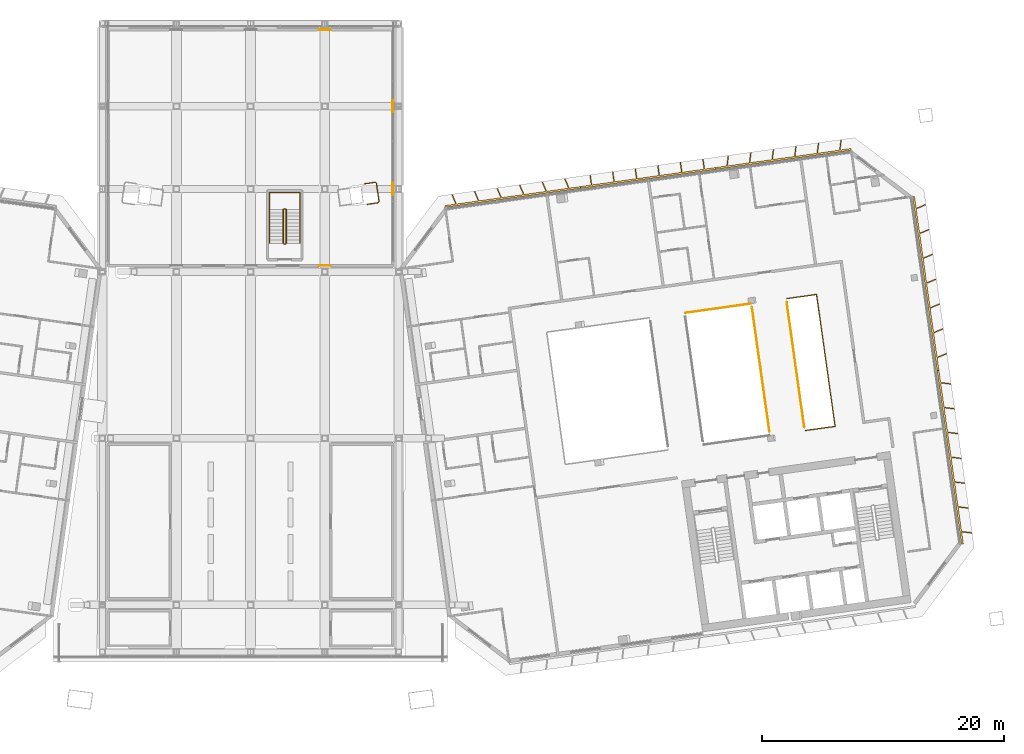
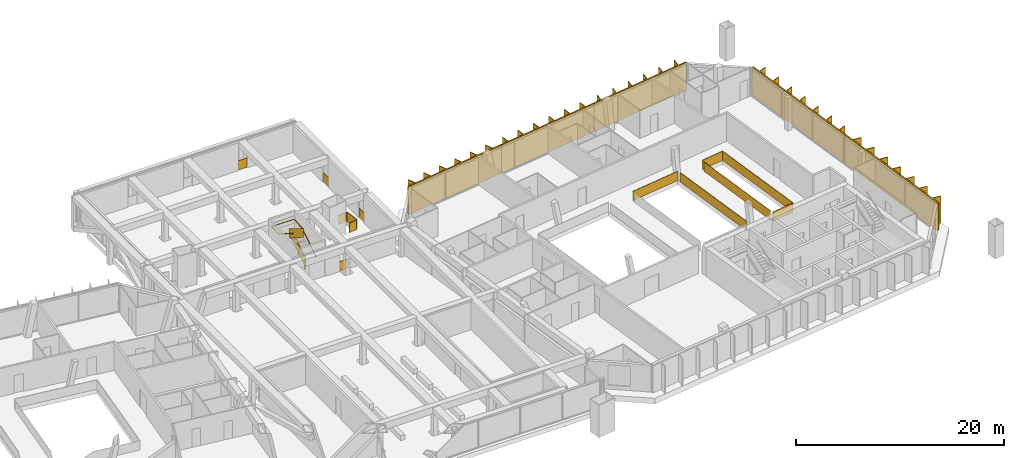
# One storey, part 25 of 25: 11 railings, 5 shading devices.
"""IFC4 building model written with IfcOpenShell, lengths in metres."""

from ifc_helpers import new_model, si_unit, direction, frame, origin, origin_2d, place, context, subcontext, project, spatial, polyline, rectangle, outline, extrude, material, type_object, element, save


model = new_model("IFC4")

# Units and contexts
model_context = context("Model", 3, precision=1e-05, world=origin(), true_north=direction((0.0, 1.0)))
body_context = subcontext(model_context, "Body", "Model", "MODEL_VIEW")
ifc_project = project(units=[si_unit("LENGTHUNIT", "METRE"), si_unit("AREAUNIT", "SQUARE_METRE"), si_unit("VOLUMEUNIT", "CUBIC_METRE"), si_unit("PLANEANGLEUNIT", "RADIAN"), si_unit("MASSUNIT", "GRAM", prefix="KILO")], contexts=[model_context])

# Site, building, storey
site_placement = place(None, origin())
site = spatial("IfcSite", under=ifc_project, at=site_placement, CompositionType="ELEMENT")
building_placement = place(site_placement, origin())
building = spatial("IfcBuilding", under=site, at=building_placement, Name="Mirante Cascada Hotel Towers", CompositionType="ELEMENT")
storey_placement = place(building_placement, frame((0.0, 0.0, 266.0)))
storey = spatial("IfcBuildingStorey", under=building, at=storey_placement, Name="L64", CompositionType="ELEMENT", Elevation=266.0)

# Railings
ifc_material_1 = material(Name="Toughened glass with stainless steel handrail", Category="steel")
railing_type_1 = type_object("IfcRailingType", Name="Atrium guard 1100 glass balustrade", PredefinedType="GUARDRAIL", material=ifc_material_1)
railing_1_placement = place(storey_placement, frame((41.3491, 7.2697, 0.0)))
element("IfcRailing", 1, at=railing_1_placement, inside=storey, type_object=railing_type_1, Name="GUARD 2-L64-3", PredefinedType="GUARDRAIL", context=body_context, shape_type="SweptSolid", body=[
    extrude(rectangle(XDim=0.048, YDim=0.048, at=origin_2d()), frame((0.0, 0.0, 1.076), z_axis=(-0.9902672, -0.1391795, 0.0), x_axis=(0.1391795, -0.9902672, 0.0)), (0.0, 0.0, 1.0), 5.4714),
    extrude(rectangle(XDim=0.02, YDim=1.052, at=origin_2d()), frame((0.0, 0.0, 0.526), z_axis=(-0.9902672, -0.1391795, 0.0), x_axis=(0.1391795, -0.9902672, 0.0)), (0.0, 0.0, 1.0), 5.4714),
])
railing_2_placement = place(storey_placement, frame((45.8508, -3.2057, 0.0)))
element("IfcRailing", 2, at=railing_2_placement, inside=storey, type_object=railing_type_1, Name="GUARD 2-L64-4", PredefinedType="GUARDRAIL", context=body_context, shape_type="SweptSolid", body=[
    extrude(rectangle(XDim=0.048, YDim=0.048, at=origin_2d()), frame((0.0, 0.0, 1.076), z_axis=(0.9902698, 0.1391606, 0.0), x_axis=(-0.1391606, 0.9902698, 0.0)), (0.0, 0.0, 1.0), 2.4712),
    extrude(rectangle(XDim=0.02, YDim=1.052, at=origin_2d()), frame((0.0, 0.0, 0.526), z_axis=(0.9902698, 0.1391606, 0.0), x_axis=(-0.1391606, 0.9902698, 0.0)), (0.0, 0.0, 1.0), 2.4712),
    extrude(rectangle(XDim=0.048, YDim=0.048, at=origin_2d()), frame((2.4472, 0.3439, 1.076), z_axis=(-0.1391721, 0.9902682, 0.0), x_axis=(-0.9902682, -0.1391721, 0.0)), (0.0, 0.0, 1.0), 11.0001),
    extrude(rectangle(XDim=0.02, YDim=1.052, at=origin_2d()), frame((2.4472, 0.3439, 0.526), z_axis=(-0.1391721, 0.9902682, 0.0), x_axis=(-0.9902682, -0.1391721, 0.0)), (0.0, 0.0, 1.0), 11.0001),
    extrude(rectangle(XDim=0.048, YDim=0.048, at=origin_2d()), frame((0.9163, 11.2369, 1.076), z_axis=(-0.9902642, -0.1392003, 0.0), x_axis=(0.1392003, -0.9902642, 0.0)), (0.0, 0.0, 1.0), 2.4713),
    extrude(rectangle(XDim=0.02, YDim=1.052, at=origin_2d()), frame((0.9163, 11.2369, 0.526), z_axis=(-0.9902642, -0.1392003, 0.0), x_axis=(0.1392003, -0.9902642, 0.0)), (0.0, 0.0, 1.0), 2.4713),
])
railing_3_placement = place(storey_placement, frame((42.8874, -3.3237, 0.0)))
element("IfcRailing", 3, at=railing_3_placement, inside=storey, type_object=railing_type_1, Name="GUARD 2-L64-7", PredefinedType="GUARDRAIL", context=body_context, shape_type="SweptSolid", body=[
    extrude(rectangle(XDim=0.048, YDim=0.048, at=origin_2d()), frame((0.0, 0.0, 1.076), z_axis=(-0.1391708, 0.9902684, 0.0), x_axis=(-0.9902684, -0.1391708, 0.0)), (0.0, 0.0, 1.0), 10.4088),
    extrude(rectangle(XDim=0.02, YDim=1.052, at=origin_2d()), frame((0.0, 0.0, 0.526), z_axis=(-0.1391708, 0.9902684, 0.0), x_axis=(-0.9902684, -0.1391708, 0.0)), (0.0, 0.0, 1.0), 10.4088),
])
railing_4_placement = place(storey_placement, frame((44.3124, 7.3876, 0.0)))
element("IfcRailing", 4, at=railing_4_placement, inside=storey, type_object=railing_type_1, Name="GUARD 2-L64-8", PredefinedType="GUARDRAIL", context=body_context, shape_type="SweptSolid", body=[
    extrude(rectangle(XDim=0.048, YDim=0.048, at=origin_2d()), frame((0.0, 0.0, 1.076), z_axis=(0.1391815, -0.9902669, 0.0), x_axis=(0.9902669, 0.1391815, 0.0)), (0.0, 0.0, 1.0), 10.4087),
    extrude(rectangle(XDim=0.02, YDim=1.052, at=origin_2d()), frame((0.0, 0.0, 0.526), z_axis=(0.1391815, -0.9902669, 0.0), x_axis=(0.9902669, 0.1391815, 0.0)), (0.0, 0.0, 1.0), 10.4087),
])
ifc_material_2 = material(Name="Toughened glass", Category="glass")
railing_type_2 = type_object("IfcRailingType", Name="Deck column opening guard 1100 glass balustrade", PredefinedType="GUARDRAIL", material=ifc_material_2)
railing_5_placement = place(storey_placement, frame((9.6277, 15.4849, 0.0)))
element("IfcRailing", 5, at=railing_5_placement, inside=storey, type_object=railing_type_2, Name="Column opening guard L64 2", PredefinedType="GUARDRAIL", context=body_context, shape_type="SweptSolid", body=[
    extrude(rectangle(XDim=0.048, YDim=0.048, at=origin_2d()), frame((0.0, 0.0, 1.076), z_axis=(0.9902714, 0.1391493, 0.0), x_axis=(-0.1391493, 0.9902714, 0.0)), (0.0, 0.0, 1.0), 0.8566),
    extrude(rectangle(XDim=0.02, YDim=1.052, at=origin_2d()), frame((0.0, 0.0, 0.526), z_axis=(0.9902714, 0.1391493, 0.0), x_axis=(-0.1391493, 0.9902714, 0.0)), (0.0, 0.0, 1.0), 0.8566),
    extrude(rectangle(XDim=0.048, YDim=0.048, at=origin_2d()), frame((0.8483, 0.1192, 1.076), z_axis=(0.9825335, 0.1860859, 0.0), x_axis=(-0.1860859, 0.9825335, 0.0)), (0.0, 0.0, 1.0), 0.0134),
    extrude(rectangle(XDim=0.02, YDim=1.052, at=origin_2d()), frame((0.8483, 0.1192, 0.526), z_axis=(0.9825335, 0.1860859, 0.0), x_axis=(-0.1860859, 0.9825335, 0.0)), (0.0, 0.0, 1.0), 0.0134),
    extrude(rectangle(XDim=0.048, YDim=0.048, at=origin_2d()), frame((0.8615, 0.1217, 1.076), z_axis=(0.9589343, 0.2836284, 0.0), x_axis=(-0.2836284, 0.9589343, 0.0)), (0.0, 0.0, 1.0), 0.0148),
    extrude(rectangle(XDim=0.02, YDim=1.052, at=origin_2d()), frame((0.8615, 0.1217, 0.526), z_axis=(0.9589343, 0.2836284, 0.0), x_axis=(-0.2836284, 0.9589343, 0.0)), (0.0, 0.0, 1.0), 0.0148),
    extrude(rectangle(XDim=0.048, YDim=0.048, at=origin_2d()), frame((0.8757, 0.1259, 1.076), z_axis=(0.9270597, 0.3749138, 0.0), x_axis=(-0.3749138, 0.9270597, 0.0)), (0.0, 0.0, 1.0), 0.0147),
    extrude(rectangle(XDim=0.02, YDim=1.052, at=origin_2d()), frame((0.8757, 0.1259, 0.526), z_axis=(0.9270597, 0.3749138, 0.0), x_axis=(-0.3749138, 0.9270597, 0.0)), (0.0, 0.0, 1.0), 0.0147),
    extrude(rectangle(XDim=0.048, YDim=0.048, at=origin_2d()), frame((0.8893, 0.1314, 1.076), z_axis=(0.8847717, 0.4660248, 0.0), x_axis=(-0.4660248, 0.8847717, 0.0)), (0.0, 0.0, 1.0), 0.0148),
    extrude(rectangle(XDim=0.02, YDim=1.052, at=origin_2d()), frame((0.8893, 0.1314, 0.526), z_axis=(0.8847717, 0.4660248, 0.0), x_axis=(-0.4660248, 0.8847717, 0.0)), (0.0, 0.0, 1.0), 0.0148),
    extrude(rectangle(XDim=0.048, YDim=0.048, at=origin_2d()), frame((0.9024, 0.1383, 1.076), z_axis=(0.8351709, 0.5499906, 0.0), x_axis=(-0.5499906, 0.8351709, 0.0)), (0.0, 0.0, 1.0), 0.0147),
    extrude(rectangle(XDim=0.02, YDim=1.052, at=origin_2d()), frame((0.9024, 0.1383, 0.526), z_axis=(0.8351709, 0.5499906, 0.0), x_axis=(-0.5499906, 0.8351709, 0.0)), (0.0, 0.0, 1.0), 0.0147),
    extrude(rectangle(XDim=0.048, YDim=0.048, at=origin_2d()), frame((0.9147, 0.1464, 1.076), z_axis=(0.7781978, 0.6280193, 0.0), x_axis=(-0.6280193, 0.7781978, 0.0)), (0.0, 0.0, 1.0), 0.0146),
    extrude(rectangle(XDim=0.02, YDim=1.052, at=origin_2d()), frame((0.9147, 0.1464, 0.526), z_axis=(0.7781978, 0.6280193, 0.0), x_axis=(-0.6280193, 0.7781978, 0.0)), (0.0, 0.0, 1.0), 0.0146),
    extrude(rectangle(XDim=0.048, YDim=0.048, at=origin_2d()), frame((0.9261, 0.1556, 1.076), z_axis=(0.7104819, 0.7037154, 0.0), x_axis=(-0.7037154, 0.7104819, 0.0)), (0.0, 0.0, 1.0), 0.0148),
    extrude(rectangle(XDim=0.02, YDim=1.052, at=origin_2d()), frame((0.9261, 0.1556, 0.526), z_axis=(0.7104819, 0.7037154, 0.0), x_axis=(-0.7037154, 0.7104819, 0.0)), (0.0, 0.0, 1.0), 0.0148),
    extrude(rectangle(XDim=0.048, YDim=0.048, at=origin_2d()), frame((0.9366, 0.166, 1.076), z_axis=(0.639515, 0.7687786, 0.0), x_axis=(-0.7687786, 0.639515, 0.0)), (0.0, 0.0, 1.0), 0.0147),
    extrude(rectangle(XDim=0.02, YDim=1.052, at=origin_2d()), frame((0.9366, 0.166, 0.526), z_axis=(0.639515, 0.7687786, 0.0), x_axis=(-0.7687786, 0.639515, 0.0)), (0.0, 0.0, 1.0), 0.0147),
    extrude(rectangle(XDim=0.048, YDim=0.048, at=origin_2d()), frame((0.946, 0.1773, 1.076), z_axis=(0.5656608, 0.824638, 0.0), x_axis=(-0.824638, 0.5656608, 0.0)), (0.0, 0.0, 1.0), 0.0147),
    extrude(rectangle(XDim=0.02, YDim=1.052, at=origin_2d()), frame((0.946, 0.1773, 0.526), z_axis=(0.5656608, 0.824638, 0.0), x_axis=(-0.824638, 0.5656608, 0.0)), (0.0, 0.0, 1.0), 0.0147),
    extrude(rectangle(XDim=0.048, YDim=0.048, at=origin_2d()), frame((0.9543, 0.1894, 1.076), z_axis=(0.4793251, 0.8776374, 0.0), x_axis=(-0.8776374, 0.4793251, 0.0)), (0.0, 0.0, 1.0), 0.0148),
    extrude(rectangle(XDim=0.02, YDim=1.052, at=origin_2d()), frame((0.9543, 0.1894, 0.526), z_axis=(0.4793251, 0.8776374, 0.0), x_axis=(-0.8776374, 0.4793251, 0.0)), (0.0, 0.0, 1.0), 0.0148),
    extrude(rectangle(XDim=0.048, YDim=0.048, at=origin_2d()), frame((0.9614, 0.2024, 1.076), z_axis=(0.388972, 0.9212496, 0.0), x_axis=(-0.9212496, 0.388972, 0.0)), (0.0, 0.0, 1.0), 0.0147),
    extrude(rectangle(XDim=0.02, YDim=1.052, at=origin_2d()), frame((0.9614, 0.2024, 0.526), z_axis=(0.388972, 0.9212496, 0.0), x_axis=(-0.9212496, 0.388972, 0.0)), (0.0, 0.0, 1.0), 0.0147),
    extrude(rectangle(XDim=0.048, YDim=0.048, at=origin_2d()), frame((0.9671, 0.2159, 1.076), z_axis=(0.2978895, 0.9546004, 0.0), x_axis=(-0.9546004, 0.2978895, 0.0)), (0.0, 0.0, 1.0), 0.0148),
    extrude(rectangle(XDim=0.02, YDim=1.052, at=origin_2d()), frame((0.9671, 0.2159, 0.526), z_axis=(0.2978895, 0.9546004, 0.0), x_axis=(-0.9546004, 0.2978895, 0.0)), (0.0, 0.0, 1.0), 0.0148),
    extrude(rectangle(XDim=0.048, YDim=0.048, at=origin_2d()), frame((0.9715, 0.23, 1.076), z_axis=(0.2039543, 0.9789804, 0.0), x_axis=(-0.9789804, 0.2039543, 0.0)), (0.0, 0.0, 1.0), 0.0147),
    extrude(rectangle(XDim=0.02, YDim=1.052, at=origin_2d()), frame((0.9715, 0.23, 0.526), z_axis=(0.2039543, 0.9789804, 0.0), x_axis=(-0.9789804, 0.2039543, 0.0)), (0.0, 0.0, 1.0), 0.0147),
    extrude(rectangle(XDim=0.048, YDim=0.048, at=origin_2d()), frame((0.9745, 0.2444, 1.076), z_axis=(0.1015137, 0.9948341, 0.0), x_axis=(-0.9948341, 0.1015137, 0.0)), (0.0, 0.0, 1.0), 0.0148),
    extrude(rectangle(XDim=0.02, YDim=1.052, at=origin_2d()), frame((0.9745, 0.2444, 0.526), z_axis=(0.1015137, 0.9948341, 0.0), x_axis=(-0.9948341, 0.1015137, 0.0)), (0.0, 0.0, 1.0), 0.0148),
    extrude(rectangle(XDim=0.048, YDim=0.048, at=origin_2d()), frame((0.976, 0.2591, 1.076), z_axis=(0.0068026, 0.9999769, 0.0), x_axis=(-0.9999769, 0.0068026, 0.0)), (0.0, 0.0, 1.0), 0.0147),
    extrude(rectangle(XDim=0.02, YDim=1.052, at=origin_2d()), frame((0.976, 0.2591, 0.526), z_axis=(0.0068026, 0.9999769, 0.0), x_axis=(-0.9999769, 0.0068026, 0.0)), (0.0, 0.0, 1.0), 0.0147),
    extrude(rectangle(XDim=0.048, YDim=0.048, at=origin_2d()), frame((0.9761, 0.2738, 1.076), z_axis=(-0.0891953, 0.9960142, 0.0), x_axis=(-0.9960142, -0.0891953, 0.0)), (0.0, 0.0, 1.0), 0.0135),
    extrude(rectangle(XDim=0.02, YDim=1.052, at=origin_2d()), frame((0.9761, 0.2738, 0.526), z_axis=(-0.0891953, 0.9960142, 0.0), x_axis=(-0.9960142, -0.0891953, 0.0)), (0.0, 0.0, 1.0), 0.0135),
    extrude(rectangle(XDim=0.048, YDim=0.048, at=origin_2d()), frame((0.9749, 0.2872, 1.076), z_axis=(-0.1391849, 0.9902664, 0.0), x_axis=(-0.9902664, -0.1391849, 0.0)), (0.0, 0.0, 1.0), 1.4025),
    extrude(rectangle(XDim=0.02, YDim=1.052, at=origin_2d()), frame((0.9749, 0.2872, 0.526), z_axis=(-0.1391849, 0.9902664, 0.0), x_axis=(-0.9902664, -0.1391849, 0.0)), (0.0, 0.0, 1.0), 1.4025),
    extrude(rectangle(XDim=0.048, YDim=0.048, at=origin_2d()), frame((0.7797, 1.676, 1.076), z_axis=(-0.1847347, 0.9827884, 0.0), x_axis=(-0.9827884, -0.1847347, 0.0)), (0.0, 0.0, 1.0), 0.0135),
    extrude(rectangle(XDim=0.02, YDim=1.052, at=origin_2d()), frame((0.7797, 1.676, 0.526), z_axis=(-0.1847347, 0.9827884, 0.0), x_axis=(-0.9827884, -0.1847347, 0.0)), (0.0, 0.0, 1.0), 0.0135),
    extrude(rectangle(XDim=0.048, YDim=0.048, at=origin_2d()), frame((0.7772, 1.6893, 1.076), z_axis=(-0.2854766, 0.9583857, 0.0), x_axis=(-0.9583857, -0.2854766, 0.0)), (0.0, 0.0, 1.0), 0.0147),
    extrude(rectangle(XDim=0.02, YDim=1.052, at=origin_2d()), frame((0.7772, 1.6893, 0.526), z_axis=(-0.2854766, 0.9583857, 0.0), x_axis=(-0.9583857, -0.2854766, 0.0)), (0.0, 0.0, 1.0), 0.0147),
    extrude(rectangle(XDim=0.048, YDim=0.048, at=origin_2d()), frame((0.773, 1.7034, 1.076), z_axis=(-0.3725583, 0.9280088, 0.0), x_axis=(-0.9280088, -0.3725583, 0.0)), (0.0, 0.0, 1.0), 0.0148),
    extrude(rectangle(XDim=0.02, YDim=1.052, at=origin_2d()), frame((0.773, 1.7034, 0.526), z_axis=(-0.3725583, 0.9280088, 0.0), x_axis=(-0.9280088, -0.3725583, 0.0)), (0.0, 0.0, 1.0), 0.0148),
    extrude(rectangle(XDim=0.048, YDim=0.048, at=origin_2d()), frame((0.7675, 1.7171, 1.076), z_axis=(-0.4634975, 0.8860982, 0.0), x_axis=(-0.8860982, -0.4634975, 0.0)), (0.0, 0.0, 1.0), 0.0147),
    extrude(rectangle(XDim=0.02, YDim=1.052, at=origin_2d()), frame((0.7675, 1.7171, 0.526), z_axis=(-0.4634975, 0.8860982, 0.0), x_axis=(-0.8860982, -0.4634975, 0.0)), (0.0, 0.0, 1.0), 0.0147),
    extrude(rectangle(XDim=0.048, YDim=0.048, at=origin_2d()), frame((0.7607, 1.7301, 1.076), z_axis=(-0.5499906, 0.8351709, 0.0), x_axis=(-0.8351709, -0.5499906, 0.0)), (0.0, 0.0, 1.0), 0.0147),
    extrude(rectangle(XDim=0.02, YDim=1.052, at=origin_2d()), frame((0.7607, 1.7301, 0.526), z_axis=(-0.5499906, 0.8351709, 0.0), x_axis=(-0.8351709, -0.5499906, 0.0)), (0.0, 0.0, 1.0), 0.0147),
    extrude(rectangle(XDim=0.048, YDim=0.048, at=origin_2d()), frame((0.7526, 1.7424, 1.076), z_axis=(-0.6288091, 0.7775597, 0.0), x_axis=(-0.7775597, -0.6288091, 0.0)), (0.0, 0.0, 1.0), 0.0148),
    extrude(rectangle(XDim=0.02, YDim=1.052, at=origin_2d()), frame((0.7526, 1.7424, 0.526), z_axis=(-0.6288091, 0.7775597, 0.0), x_axis=(-0.7775597, -0.6288091, 0.0)), (0.0, 0.0, 1.0), 0.0148),
    extrude(rectangle(XDim=0.048, YDim=0.048, at=origin_2d()), frame((0.7433, 1.7539, 1.076), z_axis=(-0.7002753, 0.7138729, 0.0), x_axis=(-0.7138729, -0.7002753, 0.0)), (0.0, 0.0, 1.0), 0.0147),
    extrude(rectangle(XDim=0.02, YDim=1.052, at=origin_2d()), frame((0.7433, 1.7539, 0.526), z_axis=(-0.7002753, 0.7138729, 0.0), x_axis=(-0.7138729, -0.7002753, 0.0)), (0.0, 0.0, 1.0), 0.0147),
    extrude(rectangle(XDim=0.048, YDim=0.048, at=origin_2d()), frame((0.733, 1.7644, 1.076), z_axis=(-0.7687786, 0.639515, 0.0), x_axis=(-0.639515, -0.7687786, 0.0)), (0.0, 0.0, 1.0), 0.0147),
    extrude(rectangle(XDim=0.02, YDim=1.052, at=origin_2d()), frame((0.733, 1.7644, 0.526), z_axis=(-0.7687786, 0.639515, 0.0), x_axis=(-0.639515, -0.7687786, 0.0)), (0.0, 0.0, 1.0), 0.0147),
    extrude(rectangle(XDim=0.048, YDim=0.048, at=origin_2d()), frame((0.7217, 1.7738, 1.076), z_axis=(-0.8268004, 0.5624954, 0.0), x_axis=(-0.5624954, -0.8268004, 0.0)), (0.0, 0.0, 1.0), 0.0148),
    extrude(rectangle(XDim=0.02, YDim=1.052, at=origin_2d()), frame((0.7217, 1.7738, 0.526), z_axis=(-0.8268004, 0.5624954, 0.0), x_axis=(-0.5624954, -0.8268004, 0.0)), (0.0, 0.0, 1.0), 0.0148),
    extrude(rectangle(XDim=0.048, YDim=0.048, at=origin_2d()), frame((0.7095, 1.7821, 1.076), z_axis=(-0.8804711, 0.4740998, 0.0), x_axis=(-0.4740998, -0.8804711, 0.0)), (0.0, 0.0, 1.0), 0.0148),
    extrude(rectangle(XDim=0.02, YDim=1.052, at=origin_2d()), frame((0.7095, 1.7821, 0.526), z_axis=(-0.8804711, 0.4740998, 0.0), x_axis=(-0.4740998, -0.8804711, 0.0)), (0.0, 0.0, 1.0), 0.0148),
    extrude(rectangle(XDim=0.048, YDim=0.048, at=origin_2d()), frame((0.6965, 1.7891, 1.076), z_axis=(-0.9212496, 0.388972, 0.0), x_axis=(-0.388972, -0.9212496, 0.0)), (0.0, 0.0, 1.0), 0.0147),
    extrude(rectangle(XDim=0.02, YDim=1.052, at=origin_2d()), frame((0.6965, 1.7891, 0.526), z_axis=(-0.9212496, 0.388972, 0.0), x_axis=(-0.388972, -0.9212496, 0.0)), (0.0, 0.0, 1.0), 0.0147),
    extrude(rectangle(XDim=0.048, YDim=0.048, at=origin_2d()), frame((0.683, 1.7948, 1.076), z_axis=(-0.9546004, 0.2978895, 0.0), x_axis=(-0.2978895, -0.9546004, 0.0)), (0.0, 0.0, 1.0), 0.0148),
    extrude(rectangle(XDim=0.02, YDim=1.052, at=origin_2d()), frame((0.683, 1.7948, 0.526), z_axis=(-0.9546004, 0.2978895, 0.0), x_axis=(-0.2978895, -0.9546004, 0.0)), (0.0, 0.0, 1.0), 0.0148),
    extrude(rectangle(XDim=0.048, YDim=0.048, at=origin_2d()), frame((0.6689, 1.7992, 1.076), z_axis=(-0.9789804, 0.2039543, 0.0), x_axis=(-0.2039543, -0.9789804, 0.0)), (0.0, 0.0, 1.0), 0.0147),
    extrude(rectangle(XDim=0.02, YDim=1.052, at=origin_2d()), frame((0.6689, 1.7992, 0.526), z_axis=(-0.9789804, 0.2039543, 0.0), x_axis=(-0.2039543, -0.9789804, 0.0)), (0.0, 0.0, 1.0), 0.0147),
    extrude(rectangle(XDim=0.048, YDim=0.048, at=origin_2d()), frame((0.6545, 1.8022, 1.076), z_axis=(-0.9940487, 0.1089368, 0.0), x_axis=(-0.1089368, -0.9940487, 0.0)), (0.0, 0.0, 1.0), 0.0147),
    extrude(rectangle(XDim=0.02, YDim=1.052, at=origin_2d()), frame((0.6545, 1.8022, 0.526), z_axis=(-0.9940487, 0.1089368, 0.0), x_axis=(-0.1089368, -0.9940487, 0.0)), (0.0, 0.0, 1.0), 0.0147),
    extrude(rectangle(XDim=0.048, YDim=0.048, at=origin_2d()), frame((0.6399, 1.8038, 1.076), z_axis=(-0.9999772, 0.0067566, 0.0), x_axis=(-0.0067566, -0.9999772, 0.0)), (0.0, 0.0, 1.0), 0.0148),
    extrude(rectangle(XDim=0.02, YDim=1.052, at=origin_2d()), frame((0.6399, 1.8038, 0.526), z_axis=(-0.9999772, 0.0067566, 0.0), x_axis=(-0.0067566, -0.9999772, 0.0)), (0.0, 0.0, 1.0), 0.0148),
    extrude(rectangle(XDim=0.048, YDim=0.048, at=origin_2d()), frame((0.6251, 1.8039, 1.076), z_axis=(-0.9960142, -0.0891953, 0.0), x_axis=(0.0891953, -0.9960142, 0.0)), (0.0, 0.0, 1.0), 0.0135),
    extrude(rectangle(XDim=0.02, YDim=1.052, at=origin_2d()), frame((0.6251, 1.8039, 0.526), z_axis=(-0.9960142, -0.0891953, 0.0), x_axis=(0.0891953, -0.9960142, 0.0)), (0.0, 0.0, 1.0), 0.0135),
    extrude(rectangle(XDim=0.048, YDim=0.048, at=origin_2d()), frame((0.6117, 1.8027, 1.076), z_axis=(-0.9902531, -0.1392799, 0.0), x_axis=(0.1392799, -0.9902531, 0.0)), (0.0, 0.0, 1.0), 0.8565),
    extrude(rectangle(XDim=0.02, YDim=1.052, at=origin_2d()), frame((0.6117, 1.8027, 0.526), z_axis=(-0.9902531, -0.1392799, 0.0), x_axis=(0.1392799, -0.9902531, 0.0)), (0.0, 0.0, 1.0), 0.8565),
])
ifc_material_3 = material(Name="Painted steel", Category="steel")
railing_type_3 = type_object("IfcRailingType", Name="Stair guard 1100 steel balustrade", PredefinedType="GUARDRAIL", material=ifc_material_3)
railing_6_placement = place(storey_placement, frame((2.75, 12.21, 0.0)))
element("IfcRailing", 6, at=railing_6_placement, inside=storey, type_object=railing_type_3, Name="L64 ST-RG stair guard 1", PredefinedType="GUARDRAIL", context=body_context, shape_type="SweptSolid", body=[
    extrude(rectangle(XDim=0.048, YDim=0.048, at=origin_2d()), frame((0.0, 0.0, 1.076), z_axis=(1.0, 0.0, 0.0), x_axis=(0.0, 1.0, 0.0)), (0.0, 0.0, 1.0), 0.15),
    extrude(rectangle(XDim=0.02, YDim=1.052, at=origin_2d()), frame((0.0, 0.0, 0.526), z_axis=(1.0, 0.0, 0.0), x_axis=(0.0, 1.0, 0.0)), (0.0, 0.0, 1.0), 0.15),
    extrude(rectangle(XDim=0.048, YDim=0.048, at=origin_2d()), frame((0.15, 0.0, 1.076), z_axis=(0.7071068, 0.7071068, 0.0), x_axis=(-0.7071068, 0.7071068, 0.0)), (0.0, 0.925433, 0.3789114), 0.1866),
    extrude(rectangle(XDim=0.02, YDim=1.052, at=origin_2d()), frame((0.15, 0.0, 0.526), z_axis=(0.7071068, 0.7071068, 0.0), x_axis=(-0.7071068, 0.7071068, 0.0)), (0.0, 0.925433, 0.3789114), 0.1866),
    extrude(rectangle(XDim=0.048, YDim=0.048, at=origin_2d()), frame((0.2, 0.05, 1.2487), z_axis=(0.0, 1.0, 0.0), x_axis=(-1.0, 0.0, 0.0)), (0.0, 0.5250282, 0.8510849), 3.2899),
    extrude(rectangle(XDim=0.02, YDim=1.052, at=origin_2d()), frame((0.2, 0.05, 0.6987), z_axis=(0.0, 1.0, 0.0), x_axis=(-1.0, 0.0, 0.0)), (0.0, 0.5250282, 0.8510849), 3.2899),
    extrude(rectangle(XDim=0.048, YDim=0.048, at=origin_2d()), frame((0.2, 2.85, 2.976), z_axis=(-0.9701425, 0.2425356, 0.0), x_axis=(-0.2425356, -0.9701425, 0.0)), (0.0, 0.0, 1.0), 0.2062),
    extrude(rectangle(XDim=0.02, YDim=1.052, at=origin_2d()), frame((0.2, 2.85, 2.426), z_axis=(-0.9701425, 0.2425356, 0.0), x_axis=(-0.2425356, -0.9701425, 0.0)), (0.0, 0.0, 1.0), 0.2062),
    extrude(rectangle(XDim=0.048, YDim=0.048, at=origin_2d()), frame((0.0, 2.9, 2.976), z_axis=(1.0, 0.0, 0.0), x_axis=(0.0, 1.0, 0.0)), (0.0, 0.0, 1.0), 0.15),
    extrude(rectangle(XDim=0.02, YDim=1.052, at=origin_2d()), frame((0.0, 2.9, 2.426), z_axis=(1.0, 0.0, 0.0), x_axis=(0.0, 1.0, 0.0)), (0.0, 0.0, 1.0), 0.15),
    extrude(rectangle(XDim=0.048, YDim=0.048, at=origin_2d()), frame((0.15, 2.9, 2.976), z_axis=(-0.9701425, -0.2425356, 0.0), x_axis=(0.2425356, -0.9701425, 0.0)), (0.0, 0.6421659, 0.7665657), 0.2689),
    extrude(rectangle(XDim=0.02, YDim=1.052, at=origin_2d()), frame((0.15, 2.9, 2.426), z_axis=(-0.9701425, -0.2425356, 0.0), x_axis=(0.2425356, -0.9701425, 0.0)), (0.0, 0.6421659, 0.7665657), 0.2689),
    extrude(rectangle(XDim=0.048, YDim=0.048, at=origin_2d()), frame((-0.05, 2.85, 3.1487), z_axis=(0.0, -1.0, 0.0), x_axis=(1.0, 0.0, 0.0)), (0.0, 0.5250282, 0.8510849), 3.2899),
    extrude(rectangle(XDim=0.02, YDim=1.052, at=origin_2d()), frame((-0.05, 2.85, 2.5987), z_axis=(0.0, -1.0, 0.0), x_axis=(1.0, 0.0, 0.0)), (0.0, 0.5250282, 0.8510849), 3.2899),
])
ifc_material_4 = material(Name="Painted steel", Category="steel")
railing_type_4 = type_object("IfcRailingType", Name="Stair handrail 900 steel tube", PredefinedType="HANDRAIL", material=ifc_material_4)
railing_7_placement = place(storey_placement, frame((4.1, 12.26, 0.1727)))
element("IfcRailing", 7, at=railing_7_placement, inside=storey, type_object=railing_type_4, Name="L64 ST-RG stair handrail 1", PredefinedType="HANDRAIL", context=body_context, shape_type="SweptSolid", body=[
    extrude(rectangle(XDim=0.048, YDim=0.048, at=origin_2d()), frame((0.0, 0.0, 0.876), z_axis=(0.0, 1.0, 0.0), x_axis=(-1.0, 0.0, 0.0)), (0.0, 0.5250282, 0.8510849), 3.2899),
    extrude(rectangle(XDim=0.048, YDim=0.048, at=origin_2d()), frame((0.0, 2.799, 2.6032), z_axis=(0.0, 1.0, 0.0), x_axis=(-1.0, 0.0, 0.0)), (0.0, 0.1224292, 0.9924773), 1.4116),
    extrude(rectangle(XDim=0.048, YDim=0.048, at=origin_2d()), frame((0.0, 4.2, 2.776), z_axis=(-1.0, 0.0, 0.0), x_axis=(0.0, -1.0, 0.0)), (0.0, 0.0, 1.0), 2.55),
    extrude(rectangle(XDim=0.048, YDim=0.048, at=origin_2d()), frame((-2.55, 4.2, 2.776), z_axis=(0.0, -1.0, 0.0), x_axis=(1.0, 0.0, 0.0)), (0.0, 0.0, 1.0), 1.4),
    extrude(rectangle(XDim=0.048, YDim=0.048, at=origin_2d()), frame((-2.55, 2.8009, 2.7755), z_axis=(0.0, -1.0, 0.0), x_axis=(1.0, 0.0, 0.0)), (0.0, 0.5250282, 0.8510849), 3.2909),
])
ifc_material_5 = material(Name="Toughened glass", Category="glass")
railing_type_5 = type_object("IfcRailingType", Name="Truss bay glazed screen 1100", PredefinedType="GUARDRAIL", material=ifc_material_5)
for number, where, name in (
    (8, (5.63, 10.41, 0.0), "Truss bay glazed screen L64 3"),
    (9, (5.63, 29.91, 0.0), "Truss bay glazed screen L64 6"),
):
    element("IfcRailing", number, at=place(storey_placement, frame(where)), inside=storey, type_object=railing_type_5, Name=name, PredefinedType="GUARDRAIL", context=body_context, shape_type="SweptSolid", body=[
        extrude(rectangle(XDim=0.048, YDim=0.048, at=origin_2d()), frame((0.0, 0.0, 1.076), z_axis=(1.0, 0.0, 0.0), x_axis=(0.0, 1.0, 0.0)), (0.0, 0.0, 1.0), 1.0),
        extrude(rectangle(XDim=0.02, YDim=1.052, at=origin_2d()), frame((0.0, 0.0, 0.526), z_axis=(1.0, 0.0, 0.0), x_axis=(0.0, 1.0, 0.0)), (0.0, 0.0, 1.0), 1.0),
    ])
for number, where, name in (
    (10, (11.75, 16.25, 0.0), "Truss bay glazed screen L64 9"),
    (11, (11.75, 23.08, 0.0), "Truss bay glazed screen L64 10"),
):
    element("IfcRailing", number, at=place(storey_placement, frame(where)), inside=storey, type_object=railing_type_5, Name=name, PredefinedType="GUARDRAIL", context=body_context, shape_type="SweptSolid", body=[
        extrude(rectangle(XDim=0.048, YDim=0.048, at=origin_2d()), frame((0.0, 0.0, 1.076), z_axis=(0.0, 1.0, 0.0), x_axis=(-1.0, 0.0, 0.0)), (0.0, 0.0, 1.0), 1.0),
        extrude(rectangle(XDim=0.02, YDim=1.052, at=origin_2d()), frame((0.0, 0.0, 0.526), z_axis=(0.0, 1.0, 0.0), x_axis=(-1.0, 0.0, 0.0)), (0.0, 0.0, 1.0), 1.0),
    ])

# Shading devices
ifc_material_6 = material(Name="White precast concrete C50/60 fin", Category="concrete")
shading_device_type = type_object("IfcShadingDeviceType", Name="Vertical fin set 4500x900", PredefinedType="USERDEFINED", material=ifc_material_6)
shading_device_1_placement = place(storey_placement, origin())
element("IfcShadingDevice", 12, at=shading_device_1_placement, inside=storey, type_object=shading_device_type, Name="FIN T2 L64 front 1", ObjectType="FIN", PredefinedType="USERDEFINED", context=body_context, shape_type="SweptSolid", body=[
    extrude(outline(polyline([(39.5192, 19.493), (39.4171, 18.6617), (41.1993, 18.9122), (41.3039, 19.7647), (41.3833, 19.755), (41.2813, 18.9237), (43.0635, 19.1741), (43.1681, 20.0267), (43.2475, 20.0169), (43.1455, 19.1857), (44.9276, 19.4361), (45.0323, 20.2887), (45.1117, 20.2789), (45.0097, 19.4477), (46.7918, 19.6981), (46.8965, 20.5507), (46.9759, 20.5409), (46.8739, 19.7097), (48.656, 19.9601), (48.7607, 20.8127), (48.8401, 20.8029), (48.738, 19.9717), (49.6159, 20.095), (49.6367, 19.9465), (38.4516, 18.3745), (38.4307, 18.5231), (39.3351, 18.6502), (39.4398, 19.5027), (39.5192, 19.493)])), origin(), (0.0, 0.0, 1.0), 3.3),
])
shading_device_2_placement = place(storey_placement, origin())
element("IfcShadingDevice", 13, at=shading_device_2_placement, inside=storey, type_object=shading_device_type, Name="FIN T2 L64 front 2", ObjectType="FIN", PredefinedType="USERDEFINED", context=body_context, shape_type="SweptSolid", body=[
    extrude(outline(polyline([(28.099, 17.9294), (28.2173, 17.0877), (30.0022, 17.3385), (29.8839, 18.1802), (29.9632, 18.1914), (30.0815, 17.3496), (31.8664, 17.6005), (31.7481, 18.4422), (31.8274, 18.4534), (31.9457, 17.6116), (33.7306, 17.8625), (33.6123, 18.7042), (33.6916, 18.7154), (33.8098, 17.8736), (35.5948, 18.1245), (35.4765, 18.9662), (35.5557, 18.9774), (35.674, 18.1356), (37.459, 18.3865), (37.3407, 19.2282), (37.4199, 19.2394), (37.5382, 18.3976), (38.4307, 18.5231), (38.4516, 18.3745), (27.2664, 16.8025), (27.2456, 16.9511), (28.1381, 17.0765), (28.0198, 17.9182), (28.099, 17.9294)])), origin(), (0.0, 0.0, 1.0), 3.3),
])
shading_device_3_placement = place(storey_placement, origin())
element("IfcShadingDevice", 14, at=shading_device_3_placement, inside=storey, type_object=shading_device_type, Name="FIN T2 L64 front 3", ObjectType="FIN", PredefinedType="USERDEFINED", context=body_context, shape_type="SweptSolid", body=[
    extrude(outline(polyline([(16.6846, 16.3047), (17.0203, 15.514), (18.8024, 15.7645), (18.4752, 16.5354), (18.5488, 16.5667), (18.8844, 15.776), (20.6666, 16.0265), (20.3394, 16.7974), (20.413, 16.8287), (20.7486, 16.038), (22.5308, 16.2885), (22.2036, 17.0594), (22.2772, 17.0907), (22.6128, 16.3), (24.395, 16.5505), (24.0678, 17.3214), (24.1414, 17.3527), (24.477, 16.562), (26.2592, 16.8125), (25.932, 17.5834), (26.0056, 17.6147), (26.3412, 16.824), (27.2456, 16.9511), (27.2664, 16.8025), (16.0813, 15.2306), (16.0604, 15.3791), (16.9382, 15.5025), (16.611, 16.2734), (16.6846, 16.3047)])), origin(), (0.0, 0.0, 1.0), 3.3),
])
shading_device_4_placement = place(storey_placement, origin())
element("IfcShadingDevice", 15, at=shading_device_4_placement, inside=storey, type_object=shading_device_type, Name="FIN T2 L64 outer 1", ObjectType="FIN", PredefinedType="USERDEFINED", context=body_context, shape_type="SweptSolid", body=[
    extrude(outline(polyline([(59.5985, -11.711), (58.7673, -11.609), (58.9038, -12.5803), (58.7552, -12.6012), (56.7372, 1.7577), (56.8858, 1.7785), (57.026, 0.7807), (57.8786, 0.676), (57.8688, 0.5966), (57.0375, 0.6986), (57.3143, -1.2706), (58.1669, -1.3753), (58.1571, -1.4547), (57.3258, -1.3526), (57.6026, -3.3219), (58.4551, -3.4266), (58.4454, -3.506), (57.6141, -3.4039), (57.8909, -5.3732), (58.7434, -5.4778), (58.7337, -5.5572), (57.9024, -5.4552), (58.1792, -7.4244), (59.0317, -7.5291), (59.022, -7.6085), (58.1907, -7.5064), (58.4675, -9.4757), (59.32, -9.5804), (59.3103, -9.6598), (58.479, -9.5577), (58.7557, -11.527), (59.6083, -11.6316), (59.5985, -11.711)])), origin(), (0.0, 0.0, 1.0), 3.3),
])
shading_device_5_placement = place(storey_placement, origin())
element("IfcShadingDevice", 16, at=shading_device_5_placement, inside=storey, type_object=shading_device_type, Name="FIN T2 L64 outer 2", ObjectType="FIN", PredefinedType="USERDEFINED", context=body_context, shape_type="SweptSolid", body=[
    extrude(outline(polyline([(57.5362, 3.1121), (56.7455, 2.7764), (56.8858, 1.7785), (56.7372, 1.7577), (54.7192, 16.1166), (54.8678, 16.1374), (55.0043, 15.1661), (55.7752, 15.4933), (55.8065, 15.4197), (55.0158, 15.0841), (55.2926, 13.1148), (56.0635, 13.4421), (56.0948, 13.3684), (55.3041, 13.0328), (55.5809, 11.0635), (56.3518, 11.3908), (56.3831, 11.3171), (55.5924, 10.9815), (55.8691, 9.0123), (56.6401, 9.3395), (56.6713, 9.2659), (55.8807, 8.9303), (56.1574, 6.961), (56.9284, 7.2882), (56.9596, 7.2146), (56.169, 6.879), (56.4457, 4.9097), (57.2167, 5.237), (57.2479, 5.1633), (56.4572, 4.8277), (56.734, 2.8585), (57.5049, 3.1857), (57.5362, 3.1121)])), origin(), (0.0, 0.0, 1.0), 3.3),
])

save(model, "model.ifc")
